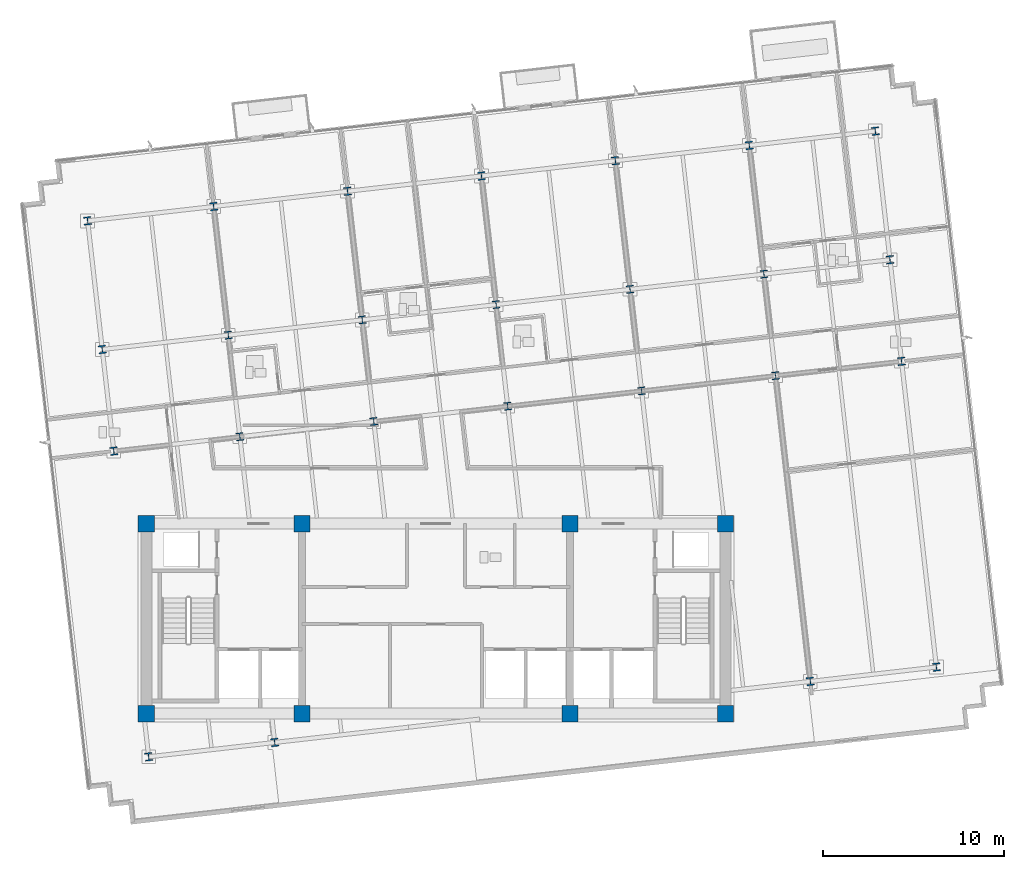
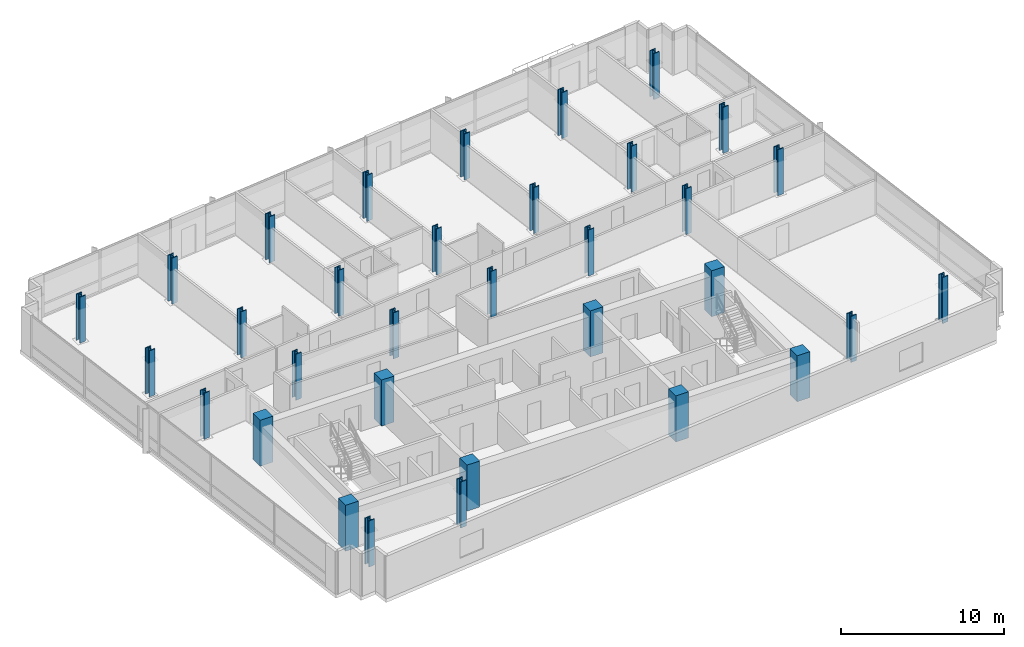
# One storey, part 1 of 16: 33 columns.
"""IFC4 building model written with IfcOpenShell, lengths in metres."""

from ifc_helpers import new_model, si_unit, direction, frame, origin, origin_2d, place, context, subcontext, project, spatial, rectangle, i_section, extrude, material, material_profile, profile_set, type_object, element, save


model = new_model("IFC4")

# Units and contexts
model_context = context("Model", 3, precision=1e-05, world=origin(), true_north=direction((0.0, 1.0)))
body_context = subcontext(model_context, "Body", "Model", "MODEL_VIEW")
ifc_project = project(units=[si_unit("LENGTHUNIT", "METRE"), si_unit("AREAUNIT", "SQUARE_METRE"), si_unit("VOLUMEUNIT", "CUBIC_METRE"), si_unit("PLANEANGLEUNIT", "RADIAN"), si_unit("MASSUNIT", "GRAM", prefix="KILO")], contexts=[model_context])

# Site, building, storey
site_placement = place(None, origin())
site = spatial("IfcSite", under=ifc_project, at=site_placement, CompositionType="ELEMENT")
building_placement = place(site_placement, origin())
building = spatial("IfcBuilding", under=site, at=building_placement, Name="Solmavex Isthmus Hotel", CompositionType="ELEMENT")
storey_placement = place(building_placement, frame((0.0, 0.0, 215.85009765625)))
storey = spatial("IfcBuildingStorey", under=building, at=storey_placement, Name="L58", CompositionType="ELEMENT", Elevation=215.85009765625)

# Columns
ifc_material_1 = material(Name="Concrete C50/60", Category="concrete")
ifc_material_profile_1 = material_profile(ifc_material_1, rectangle(XDim=0.89990234375, YDim=0.89990234375, at=origin_2d()), Name="RC900X900")
ifc_profile_set_1 = profile_set([ifc_material_profile_1], Name="Concrete C50/60")
column_type_1 = type_object("IfcColumnType", Name="COL-CC-900", PredefinedType="COLUMN", material=ifc_profile_set_1)
for number, where, z_axis, x_axis, name in (
    (1, (-16.0, -13.0, 0.0), (0.0, 0.0, 1.0), (1.0, 0.0, 0.0), "Core Pilaster CC-SW L58"),
    (2, (-7.39990234375, -13.0, 0.0), (0.0, 0.0, 1.0), (1.0, 0.0, 0.0), "Core Pilaster CC-S1 L58"),
    (3, (7.39990234375, -13.0, 0.0), (0.0, 0.0, 1.0), (1.0, 0.0, 0.0), "Core Pilaster CC-S2 L58"),
    (4, (16.0, -13.0, 0.0), (0.0, 0.0, 1.0), (1.0, 0.0, 0.0), "Core Pilaster CC-SE L58"),
    (5, (-16.0, -2.5, 0.0), (0.0, 0.0, 1.0), (1.0, 0.0, 0.0), "Core Pilaster CC-NW L58"),
    (6, (-7.39990234375, -2.5, 0.0), (0.0, 0.0, 1.0), (1.0, 0.0, 0.0), "Core Pilaster CC-N1 L58"),
    (7, (7.39990234375, -2.5, 0.0), (0.0, 0.0, 1.0), (1.0, 0.0, 0.0), "Core Pilaster CC-N2 L58"),
    (8, (16.0, -2.5, 0.0), (0.0, 0.0, 1.0), (1.0, 0.0, 0.0), "Core Pilaster CC-NE L58"),
):
    element("IfcColumn", number, at=place(storey_placement, frame(where, z_axis=z_axis, x_axis=x_axis)), inside=storey, type_object=column_type_1, Name=name, PredefinedType="COLUMN", context=body_context, shape_type="SweptSolid", body=[
        extrude(rectangle(XDim=0.89990234375, YDim=0.89990234375, at=origin_2d()), origin(), (0.0, 0.0, 1.0), 3.449951171875),
    ])
ifc_material_2 = material(Name="Steel ASTM A913 Grade 65", Category="steel")
ifc_material_profile_2 = material_profile(ifc_material_2, i_section(OverallWidth=0.412109375, OverallDepth=0.434814453125, WebThickness=0.035888671875, FlangeThickness=0.057373046875, FilletRadius=0.030517578125, at=origin_2d()), Name="W14X311")
ifc_profile_set_2 = profile_set([ifc_material_profile_2], Name="Steel ASTM A913 Grade 65")
column_type_2 = type_object("IfcColumnType", Name="COL-SC-W14X311", PredefinedType="COLUMN", material=ifc_profile_set_2)
for number, where, z_axis, x_axis, name in (
    (9, (-10.833984375, 2.30078125, 0.0), (0.0, 0.0, 1.0), (0.993571855677, 0.113203213768, 0.0), "Tower Column B4-U2V2 L58"),
    (10, (-11.473388671875, 7.912353515625, 0.0), (0.0, 0.0, 1.0), (0.993571855677, 0.113203213768, 0.0), "Tower Column B4-U2V3 L58"),
    (11, (-3.435791015625, 3.1435546875, 0.0), (0.0, 0.0, 1.0), (0.993571855677, 0.113203213768, 0.0), "Tower Column B4-U3V2 L58"),
    (12, (-4.0751953125, 8.75537109375, 0.0), (0.0, 0.0, 1.0), (0.993571855677, 0.113203213768, 0.0), "Tower Column B4-U3V3 L58"),
    (13, (3.962158203125, 3.986572265625, 0.0), (0.0, 0.0, 1.0), (0.993571855677, 0.113203213768, 0.0), "Tower Column B4-U4V2 L58"),
    (14, (3.322998046875, 9.59814453125, 0.0), (0.0, 0.0, 1.0), (0.993571855677, 0.113203213768, 0.0), "Tower Column B4-U4V3 L58"),
    (15, (11.3603515625, 4.829345703125, 0.0), (0.0, 0.0, 1.0), (0.993571855677, 0.113203213768, 0.0), "Tower Column B4-U5V2 L58"),
    (16, (10.720947265625, 10.441162109375, 0.0), (0.0, 0.0, 1.0), (0.993571855677, 0.113203213768, 0.0), "Tower Column B4-U5V3 L58"),
    (17, (18.758544921875, 5.67236328125, 0.0), (0.0, 0.0, 1.0), (0.993571855677, 0.113203213768, 0.0), "Tower Column B4-U6V2 L58"),
    (18, (18.119140625, 11.283935546875, 0.0), (0.0, 0.0, 1.0), (0.993571855677, 0.113203213768, 0.0), "Tower Column B4-U6V3 L58"),
):
    element("IfcColumn", number, at=place(storey_placement, frame(where, z_axis=z_axis, x_axis=x_axis)), inside=storey, type_object=column_type_2, Name=name, PredefinedType="COLUMN", context=body_context, shape_type="SweptSolid", body=[
        extrude(i_section(OverallWidth=0.412109375, OverallDepth=0.434814453125, WebThickness=0.035888671875, FlangeThickness=0.057373046875, FilletRadius=0.030517578125, at=origin_2d()), origin(), (0.0, 0.0, 1.0), 3.449951171875),
    ])
ifc_material_profile_3 = material_profile(ifc_material_2, i_section(OverallWidth=0.41845703125, OverallDepth=0.455078125, WebThickness=0.0419921875, FlangeThickness=0.067626953125, FilletRadius=0.030517578125, at=origin_2d()), Name="W14X370")
ifc_profile_set_3 = profile_set([ifc_material_profile_3], Name="Steel ASTM A913 Grade 65")
column_type_3 = type_object("IfcColumnType", Name="COL-SC-W14X370", PredefinedType="COLUMN", material=ifc_profile_set_3)
for number, where, z_axis, x_axis, name in (
    (19, (-15.87255859375, -15.38330078125, 0.0), (0.0, 0.0, 1.0), (0.993571855677, 0.113203213768, 0.0), "Tower Column B4-U1V1 L58"),
    (20, (-17.796875, 1.50732421875, 0.0), (0.0, 0.0, 1.0), (0.993571855677, 0.113203213768, 0.0), "Tower Column B4-U1V2 L58"),
    (21, (-18.436279296875, 7.119140625, 0.0), (0.0, 0.0, 1.0), (0.993571855677, 0.113203213768, 0.0), "Tower Column B4-U1V3 L58"),
    (22, (-19.245849609375, 14.22509765625, 0.0), (0.0, 0.0, 1.0), (0.993571855677, 0.113203213768, 0.0), "Tower Column B4-U1V4 L58"),
    (23, (-8.909423828125, -14.590087890625, 0.0), (0.0, 0.0, 1.0), (0.993571855677, 0.113203213768, 0.0), "Tower Column B4-U2V1 L58"),
    (24, (-12.282958984375, 15.018310546875, 0.0), (0.0, 0.0, 1.0), (0.993571855677, 0.113203213768, 0.0), "Tower Column B4-U2V4 L58"),
    (25, (-4.884765625, 15.861328125, 0.0), (0.0, 0.0, 1.0), (0.993571855677, 0.113203213768, 0.0), "Tower Column B4-U3V4 L58"),
    (26, (2.51318359375, 16.7041015625, 0.0), (0.0, 0.0, 1.0), (0.993571855677, 0.113203213768, 0.0), "Tower Column B4-U4V4 L58"),
    (27, (9.911376953125, 17.547119140625, 0.0), (0.0, 0.0, 1.0), (0.993571855677, 0.113203213768, 0.0), "Tower Column B4-U5V4 L58"),
    (28, (20.68310546875, -11.218505859375, 0.0), (0.0, 0.0, 1.0), (0.993571855677, 0.113203213768, 0.0), "Tower Column B4-U6V1 L58"),
    (29, (17.3095703125, 18.39013671875, 0.0), (0.0, 0.0, 1.0), (0.993571855677, 0.113203213768, 0.0), "Tower Column B4-U6V4 L58"),
    (30, (27.64599609375, -10.425048828125, 0.0), (0.0, 0.0, 1.0), (0.993571855677, 0.113203213768, 0.0), "Tower Column B4-U7V1 L58"),
    (31, (25.721435546875, 6.465576171875, 0.0), (0.0, 0.0, 1.0), (0.993571855677, 0.113203213768, 0.0), "Tower Column B4-U7V2 L58"),
    (32, (25.08203125, 12.077392578125, 0.0), (0.0, 0.0, 1.0), (0.993571855677, 0.113203213768, 0.0), "Tower Column B4-U7V3 L58"),
    (33, (24.2724609375, 19.183349609375, 0.0), (0.0, 0.0, 1.0), (0.993571855677, 0.113203213768, 0.0), "Tower Column B4-U7V4 L58"),
):
    element("IfcColumn", number, at=place(storey_placement, frame(where, z_axis=z_axis, x_axis=x_axis)), inside=storey, type_object=column_type_3, Name=name, PredefinedType="COLUMN", context=body_context, shape_type="SweptSolid", body=[
        extrude(i_section(OverallWidth=0.41845703125, OverallDepth=0.455078125, WebThickness=0.0419921875, FlangeThickness=0.067626953125, FilletRadius=0.030517578125, at=origin_2d()), origin(), (0.0, 0.0, 1.0), 3.449951171875),
    ])

save(model, "model.ifc")
